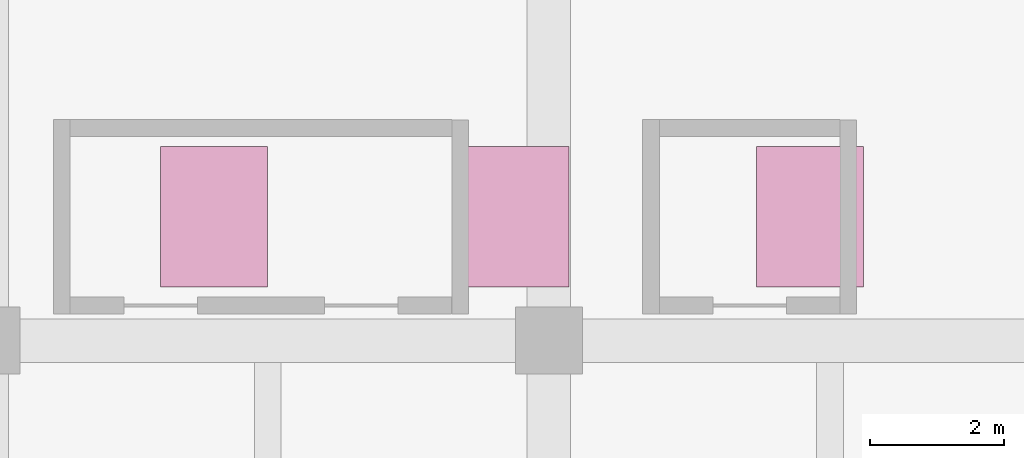
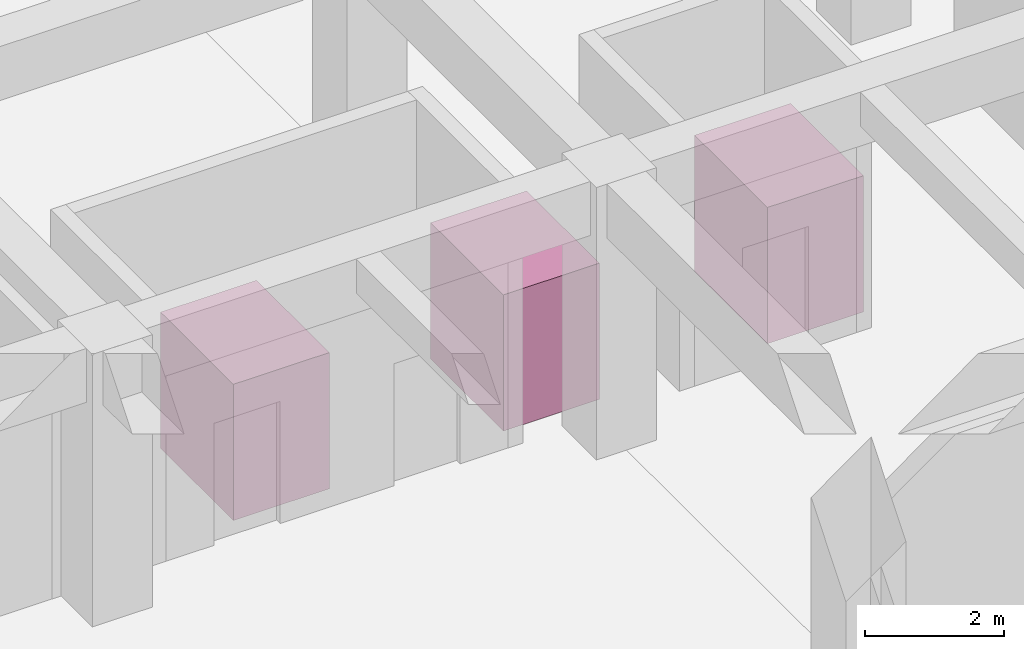
# One storey, part 49 of 49: 3 transport elements.
"""IFC4 building model written with IfcOpenShell, lengths in metres."""

import ifcopenshell
import ifcopenshell.guid

model = None  # the IFC model being written
_history = None  # IfcOwnerHistory: only IFC2X3 demands one
_inside = {}  # id of a spatial element -> (the spatial element, [elements in it])
_under = {}  # id of a project, library or spatial element -> (it, [spatial elements below it])
_declared = {}  # id of a project -> (the project, [libraries it declares])
_typed = {}  # id of a type object -> (the type object, [elements of that type])
_made_of = {}  # id of a material, layer set ... -> (it, [elements and type objects made of it])


def new_model(schema):
    """Start an empty IFC model of exactly this schema.

    Asked for "IFC4X3", IfcOpenShell would pick the latest addendum, in which some entities
    have other attributes; the version numbers below select the first issue.
    IFC2X3 requires an IfcOwnerHistory on every rooted entity: one is made here for all.
    """
    global model, _history
    if schema == "IFC4X3":
        model = ifcopenshell.file(schema_version=(4, 3, 0, 0))
    else:
        model = ifcopenshell.file(schema=schema)
    _inside.clear()
    _under.clear()
    _declared.clear()
    _typed.clear()
    _made_of.clear()
    _history = None
    if model.schema == "IFC2X3":
        org = make("IfcOrganization", Name="unknown")
        user = make(
            "IfcPersonAndOrganization",
            ThePerson=make("IfcPerson", FamilyName="unknown"),
            TheOrganization=org,
        )
        app = make(
            "IfcApplication",
            ApplicationDeveloper=org,
            Version="unknown",
            ApplicationFullName="unknown",
            ApplicationIdentifier="unknown",
        )
        _history = make(
            "IfcOwnerHistory",
            OwningUser=user,
            OwningApplication=app,
            ChangeAction="ADDED",
            CreationDate=0,
        )
    return model


def make(cls, **values):
    """One entity of the class cls with the attributes given. An attribute that is None is left unset."""
    return model.create_entity(
        cls, **{name: value for name, value in values.items() if value is not None}
    )


def rooted(cls, **values):
    """An entity with a GlobalId (a new one), such as an element, a storey or a relation."""
    return make(cls, GlobalId=ifcopenshell.guid.new(), OwnerHistory=_history, **values)


def si_unit(unit_type, name, prefix=None):
    """IfcSIUnit, for example si_unit("LENGTHUNIT", "METRE", prefix="MILLI")."""
    return make("IfcSIUnit", UnitType=unit_type, Prefix=prefix, Name=name)


def assignment(units):
    """IfcUnitAssignment: the units of a project."""
    return None if units is None else make("IfcUnitAssignment", Units=units)


def point(xyz):
    """IfcCartesianPoint."""
    return None if xyz is None else make("IfcCartesianPoint", Coordinates=xyz)


def direction(xyz):
    """IfcDirection."""
    return None if xyz is None else make("IfcDirection", DirectionRatios=xyz)


def frame(location, z_axis=None, x_axis=None):
    """IfcAxis2Placement3D, a coordinate frame: its origin and axes. An axis left out is left unset."""
    return make(
        "IfcAxis2Placement3D",
        Location=point(location),
        Axis=direction(z_axis),
        RefDirection=direction(x_axis),
    )


def frame_2d(location, x_axis=None):
    """IfcAxis2Placement2D, a coordinate frame in the plane: its origin and x axis."""
    return make(
        "IfcAxis2Placement2D", Location=point(location), RefDirection=direction(x_axis)
    )


def origin():
    """The frame at (0, 0, 0) with its axes left unset."""
    return frame((0.0, 0.0, 0.0))


def origin_2d():
    """The frame at (0, 0) in the plane with its x axis left unset."""
    return frame_2d((0.0, 0.0))


def place(relative_to, where):
    """IfcLocalPlacement: puts the frame where relative to a parent placement (None: the world)."""
    return make(
        "IfcLocalPlacement", PlacementRelTo=relative_to, RelativePlacement=where
    )


def context(
    kind, dimensions, precision=None, world=None, true_north=None, identifier=None
):
    """IfcGeometricRepresentationContext, for example the 3D "Model" context."""
    return make(
        "IfcGeometricRepresentationContext",
        ContextIdentifier=identifier,
        ContextType=kind,
        CoordinateSpaceDimension=dimensions,
        Precision=precision,
        WorldCoordinateSystem=world,
        TrueNorth=true_north,
    )


def subcontext(parent, identifier, kind, view, scale=None):
    """IfcGeometricRepresentationSubContext, for example "Body" below "Model"."""
    return make(
        "IfcGeometricRepresentationSubContext",
        ContextIdentifier=identifier,
        ContextType=kind,
        ParentContext=parent,
        TargetScale=scale,
        TargetView=view,
    )


def project(units=None, contexts=None):
    """IfcProject with its units and contexts."""
    return rooted(
        "IfcProject",
        Name="project",
        RepresentationContexts=contexts,
        UnitsInContext=assignment(units),
    )


def spatial(cls, under=None, at=None, **own):
    """A site, building, storey or space (cls), placed at a placement, below another one or the project."""
    s = rooted(cls, ObjectPlacement=at, **own)
    if under is not None:
        _under.setdefault(under.id(), (under, []))[1].append(s)
    return s


def profile(cls, at=None, kind="AREA", **sizes):
    """A parametric profile (cls). Its sizes go by their IFC names, for example OverallWidth=200.0."""
    return make(cls, ProfileType=kind, Position=at, **sizes)


def rectangle(**sizes):
    """IfcRectangleProfileDef."""
    return profile("IfcRectangleProfileDef", **sizes)


def extrude(swept, where, along, depth):
    """IfcExtrudedAreaSolid: the profile swept, set in the frame where, extruded along a direction by depth."""
    return make(
        "IfcExtrudedAreaSolid",
        SweptArea=swept,
        Position=where,
        ExtrudedDirection=direction(along),
        Depth=depth,
    )


def shape(context_of_items, identifier, shape_type, items):
    """IfcShapeRepresentation: the items that make up one representation, for example the "Body"."""
    return make(
        "IfcShapeRepresentation",
        ContextOfItems=context_of_items,
        RepresentationIdentifier=identifier,
        RepresentationType=shape_type,
        Items=items,
    )


def material(Name=None, Category=None):
    """IfcMaterial."""
    return make("IfcMaterial", Name=Name, Category=Category)


def made_of(thing, what):
    """Note that an element or type object is made of a material, layer set ...; save() writes the relation."""
    if what is not None:
        _made_of.setdefault(what.id(), (what, []))[1].append(thing)
    return thing


def type_object(cls, material=None, **own):
    """A type object (cls), such as IfcWallType, which elements share."""
    return made_of(rooted(cls, **own), material)


def element(
    cls,
    number,
    at=None,
    inside=None,
    cuts=None,
    type_object=None,
    material=None,
    context=None,
    identifier="Body",
    shape_type=None,
    held_by="IfcProductDefinitionShape",
    body=None,
    shapes=None,
    **own,
):
    """One element of the class cls, such as IfcWall. Its Tag is "e" and its number.

    at: its placement. inside: the storey or other place that contains it. cuts: it is an
    opening in that element (IfcRelVoidsElement). A single representation is given by context,
    identifier, shape_type and body (its items); several are given by shapes. held_by: the class
    of the entity that holds the representations. save() writes the other relations.
    """
    e = rooted(cls, Tag="e%d" % number, ObjectPlacement=at, **own)
    if body is not None:
        shapes = [shape(context, identifier, shape_type, body)]
    if shapes is not None:
        e.Representation = make(held_by, Representations=shapes)
    if inside is not None:
        _inside.setdefault(inside.id(), (inside, []))[1].append(e)
    if cuts is not None:
        rooted(
            "IfcRelVoidsElement", RelatingBuildingElement=cuts, RelatedOpeningElement=e
        )
    if type_object is not None:
        _typed.setdefault(type_object.id(), (type_object, []))[1].append(e)
    return made_of(e, material)


def aggregate(whole, parts):
    """IfcRelAggregates: a whole, such as a stair, and the parts it consists of."""
    return rooted("IfcRelAggregates", RelatingObject=whole, RelatedObjects=parts)


def save(model, path):
    """Write the relations noted so far, then the file.

    IfcRelAggregates (storeys below a building ...), IfcRelContainedInSpatialStructure (elements
    in a storey), IfcRelDefinesByType, IfcRelAssociatesMaterial and IfcRelDeclares: one each for
    every whole, place, type object, material and project.
    """
    for whole, parts in _under.values():
        aggregate(whole, parts)
    for where, things in _inside.values():
        rooted(
            "IfcRelContainedInSpatialStructure",
            RelatedElements=things,
            RelatingStructure=where,
        )
    for kind, things in _typed.values():
        rooted("IfcRelDefinesByType", RelatedObjects=things, RelatingType=kind)
    for what, things in _made_of.values():
        rooted("IfcRelAssociatesMaterial", RelatedObjects=things, RelatingMaterial=what)
    for by, libraries in _declared.values():
        rooted("IfcRelDeclares", RelatingContext=by, RelatedDefinitions=libraries)
    model.write(path)


model = new_model("IFC4")

# Units and contexts
model_context = context("Model", 3, precision=1e-05, world=origin(), true_north=direction((0.0, 1.0)))
body_context = subcontext(model_context, "Body", "Model", "MODEL_VIEW")
ifc_project = project(units=[si_unit("LENGTHUNIT", "METRE"), si_unit("AREAUNIT", "SQUARE_METRE"), si_unit("VOLUMEUNIT", "CUBIC_METRE"), si_unit("PLANEANGLEUNIT", "RADIAN"), si_unit("MASSUNIT", "GRAM", prefix="KILO")], contexts=[model_context])

# Site, building, storey
site_placement = place(None, origin())
site = spatial("IfcSite", under=ifc_project, at=site_placement, CompositionType="ELEMENT")
building_placement = place(site_placement, origin())
building = spatial("IfcBuilding", under=site, at=building_placement, Name="Kenerak Square Central Library", CompositionType="ELEMENT")
storey_placement = place(building_placement, origin())
storey = spatial("IfcBuildingStorey", under=building, at=storey_placement, Name="L00", CompositionType="ELEMENT", Elevation=0.0)

# Transport elements
ifc_material = material(Name="Steel S355", Category="steel")
transport_element_type = type_object("IfcTransportElementType", Name="Passenger Lift Car 1600x2100 1350kg", PredefinedType="ELEVATOR", material=ifc_material)
for number, where, z_axis, x_axis, name in (
    (1, (70.199951171875, 97.85009765625, 0.0), (0.0, 0.0, 1.0), (1.0, 0.0, 0.0), "Elevator Car PL-01"),
    (2, (74.699951171875, 97.85009765625, 0.0), (0.0, 0.0, 1.0), (1.0, 0.0, 0.0), "Elevator Car PL-02"),
    (3, (79.10009765625, 97.85009765625, 0.0), (0.0, 0.0, 1.0), (1.0, 0.0, 0.0), "Elevator Car PL-03"),
):
    element("IfcTransportElement", number, at=place(storey_placement, frame(where, z_axis=z_axis, x_axis=x_axis)), inside=storey, type_object=transport_element_type, Name=name, PredefinedType="ELEVATOR", context=body_context, shape_type="SweptSolid", body=[
        extrude(rectangle(XDim=1.60009765625, YDim=2.10009765625, at=origin_2d()), origin(), (0.0, 0.0, 1.0), 2.39990234375),
    ])

save(model, "model.ifc")
